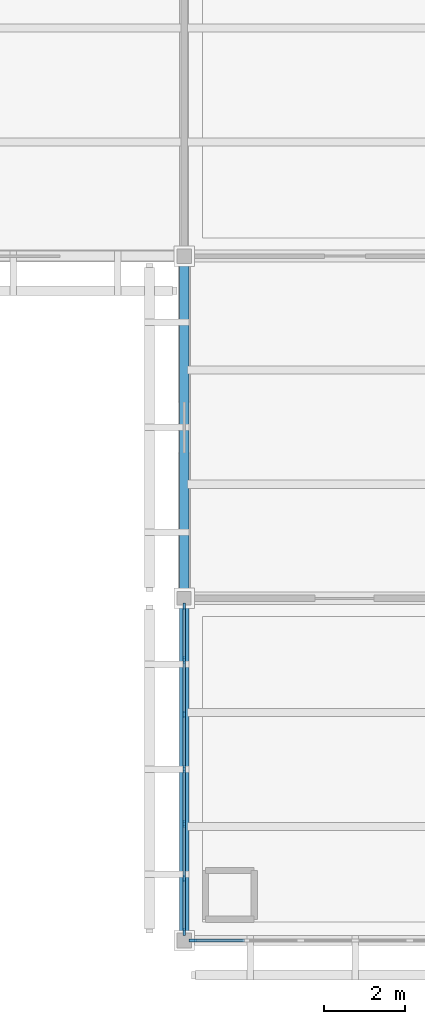
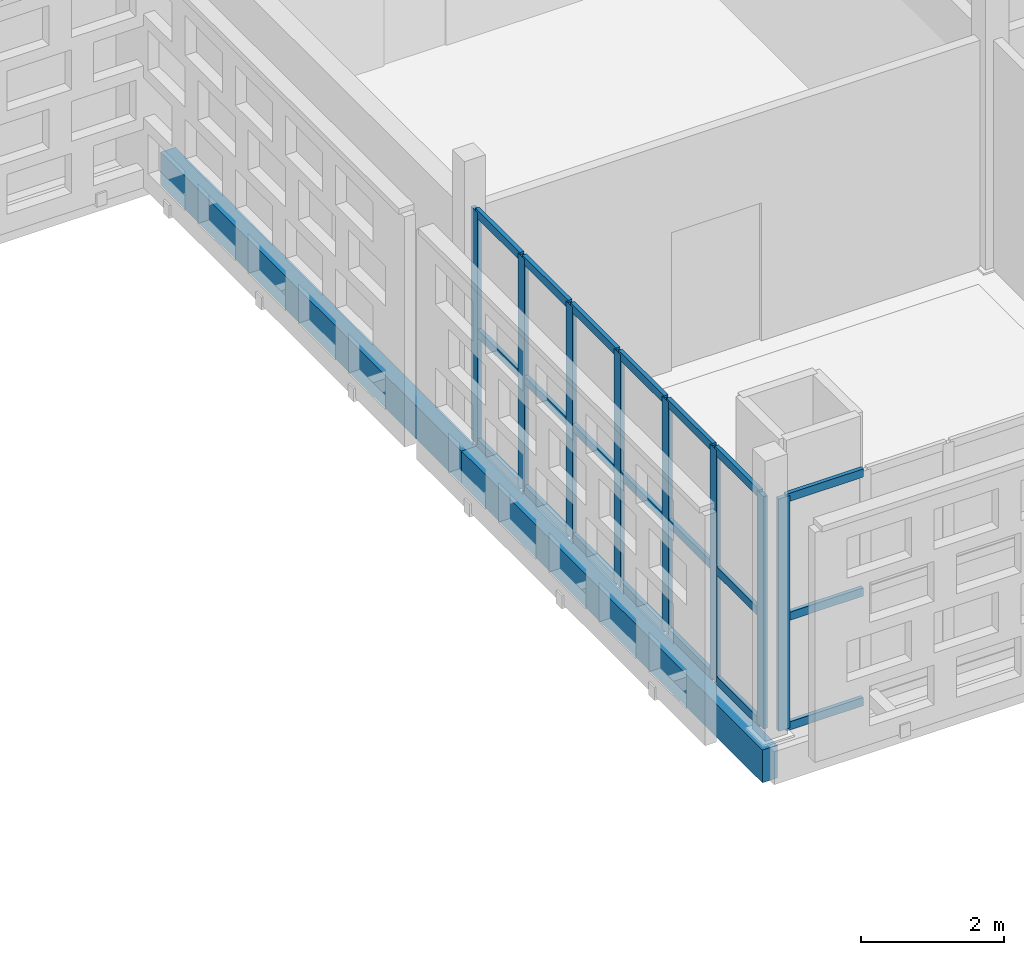
# One storey, part 32 of 203: 29 members, 2 beams, 2 elements without a shape of their own.
"""IFC4 building model written with IfcOpenShell, lengths in metres."""

import ifcopenshell
import ifcopenshell.guid

model = None  # the IFC model being written
_history = None  # IfcOwnerHistory: only IFC2X3 demands one
_inside = {}  # id of a spatial element -> (the spatial element, [elements in it])
_under = {}  # id of a project, library or spatial element -> (it, [spatial elements below it])
_declared = {}  # id of a project -> (the project, [libraries it declares])
_typed = {}  # id of a type object -> (the type object, [elements of that type])
_made_of = {}  # id of a material, layer set ... -> (it, [elements and type objects made of it])


def new_model(schema):
    """Start an empty IFC model of exactly this schema.

    Asked for "IFC4X3", IfcOpenShell would pick the latest addendum, in which some entities
    have other attributes; the version numbers below select the first issue.
    IFC2X3 requires an IfcOwnerHistory on every rooted entity: one is made here for all.
    """
    global model, _history
    if schema == "IFC4X3":
        model = ifcopenshell.file(schema_version=(4, 3, 0, 0))
    else:
        model = ifcopenshell.file(schema=schema)
    _inside.clear()
    _under.clear()
    _declared.clear()
    _typed.clear()
    _made_of.clear()
    _history = None
    if model.schema == "IFC2X3":
        org = make("IfcOrganization", Name="unknown")
        user = make(
            "IfcPersonAndOrganization",
            ThePerson=make("IfcPerson", FamilyName="unknown"),
            TheOrganization=org,
        )
        app = make(
            "IfcApplication",
            ApplicationDeveloper=org,
            Version="unknown",
            ApplicationFullName="unknown",
            ApplicationIdentifier="unknown",
        )
        _history = make(
            "IfcOwnerHistory",
            OwningUser=user,
            OwningApplication=app,
            ChangeAction="ADDED",
            CreationDate=0,
        )
    return model


def make(cls, **values):
    """One entity of the class cls with the attributes given. An attribute that is None is left unset."""
    return model.create_entity(
        cls, **{name: value for name, value in values.items() if value is not None}
    )


def rooted(cls, **values):
    """An entity with a GlobalId (a new one), such as an element, a storey or a relation."""
    return make(cls, GlobalId=ifcopenshell.guid.new(), OwnerHistory=_history, **values)


def si_unit(unit_type, name, prefix=None):
    """IfcSIUnit, for example si_unit("LENGTHUNIT", "METRE", prefix="MILLI")."""
    return make("IfcSIUnit", UnitType=unit_type, Prefix=prefix, Name=name)


def assignment(units):
    """IfcUnitAssignment: the units of a project."""
    return None if units is None else make("IfcUnitAssignment", Units=units)


def point(xyz):
    """IfcCartesianPoint."""
    return None if xyz is None else make("IfcCartesianPoint", Coordinates=xyz)


def direction(xyz):
    """IfcDirection."""
    return None if xyz is None else make("IfcDirection", DirectionRatios=xyz)


def frame(location, z_axis=None, x_axis=None):
    """IfcAxis2Placement3D, a coordinate frame: its origin and axes. An axis left out is left unset."""
    return make(
        "IfcAxis2Placement3D",
        Location=point(location),
        Axis=direction(z_axis),
        RefDirection=direction(x_axis),
    )


def frame_2d(location, x_axis=None):
    """IfcAxis2Placement2D, a coordinate frame in the plane: its origin and x axis."""
    return make(
        "IfcAxis2Placement2D", Location=point(location), RefDirection=direction(x_axis)
    )


def origin():
    """The frame at (0, 0, 0) with its axes left unset."""
    return frame((0.0, 0.0, 0.0))


def origin_2d():
    """The frame at (0, 0) in the plane with its x axis left unset."""
    return frame_2d((0.0, 0.0))


def place(relative_to, where):
    """IfcLocalPlacement: puts the frame where relative to a parent placement (None: the world)."""
    return make(
        "IfcLocalPlacement", PlacementRelTo=relative_to, RelativePlacement=where
    )


def context(
    kind, dimensions, precision=None, world=None, true_north=None, identifier=None
):
    """IfcGeometricRepresentationContext, for example the 3D "Model" context."""
    return make(
        "IfcGeometricRepresentationContext",
        ContextIdentifier=identifier,
        ContextType=kind,
        CoordinateSpaceDimension=dimensions,
        Precision=precision,
        WorldCoordinateSystem=world,
        TrueNorth=true_north,
    )


def subcontext(parent, identifier, kind, view, scale=None):
    """IfcGeometricRepresentationSubContext, for example "Body" below "Model"."""
    return make(
        "IfcGeometricRepresentationSubContext",
        ContextIdentifier=identifier,
        ContextType=kind,
        ParentContext=parent,
        TargetScale=scale,
        TargetView=view,
    )


def project(units=None, contexts=None):
    """IfcProject with its units and contexts."""
    return rooted(
        "IfcProject",
        Name="project",
        RepresentationContexts=contexts,
        UnitsInContext=assignment(units),
    )


def spatial(cls, under=None, at=None, **own):
    """A site, building, storey or space (cls), placed at a placement, below another one or the project."""
    s = rooted(cls, ObjectPlacement=at, **own)
    if under is not None:
        _under.setdefault(under.id(), (under, []))[1].append(s)
    return s


def profile(cls, at=None, kind="AREA", **sizes):
    """A parametric profile (cls). Its sizes go by their IFC names, for example OverallWidth=200.0."""
    return make(cls, ProfileType=kind, Position=at, **sizes)


def rectangle(**sizes):
    """IfcRectangleProfileDef."""
    return profile("IfcRectangleProfileDef", **sizes)


def extrude(swept, where, along, depth):
    """IfcExtrudedAreaSolid: the profile swept, set in the frame where, extruded along a direction by depth."""
    return make(
        "IfcExtrudedAreaSolid",
        SweptArea=swept,
        Position=where,
        ExtrudedDirection=direction(along),
        Depth=depth,
    )


def shape(context_of_items, identifier, shape_type, items):
    """IfcShapeRepresentation: the items that make up one representation, for example the "Body"."""
    return make(
        "IfcShapeRepresentation",
        ContextOfItems=context_of_items,
        RepresentationIdentifier=identifier,
        RepresentationType=shape_type,
        Items=items,
    )


def material(Name=None, Category=None):
    """IfcMaterial."""
    return make("IfcMaterial", Name=Name, Category=Category)


def layer(
    of_material, thickness, ventilated=None, Name=None, Category=None, Priority=None
):
    """IfcMaterialLayer: one layer of a wall or slab, of a material (None: an air gap)."""
    return make(
        "IfcMaterialLayer",
        Material=of_material,
        LayerThickness=thickness,
        IsVentilated=ventilated,
        Name=Name,
        Category=Category,
        Priority=Priority,
    )


def layer_set(layers, Name=None):
    """IfcMaterialLayerSet."""
    return make("IfcMaterialLayerSet", MaterialLayers=layers, LayerSetName=Name)


def material_profile(
    of_material, cross_section, Name=None, Category=None, Priority=None
):
    """IfcMaterialProfile: a cross section and its material."""
    return make(
        "IfcMaterialProfile",
        Name=Name,
        Material=of_material,
        Profile=cross_section,
        Priority=Priority,
        Category=Category,
    )


def profile_set(profiles, Name=None, composite=None):
    """IfcMaterialProfileSet."""
    return make(
        "IfcMaterialProfileSet",
        Name=Name,
        MaterialProfiles=profiles,
        CompositeProfile=composite,
    )


def made_of(thing, what):
    """Note that an element or type object is made of a material, layer set ...; save() writes the relation."""
    if what is not None:
        _made_of.setdefault(what.id(), (what, []))[1].append(thing)
    return thing


def type_object(cls, material=None, **own):
    """A type object (cls), such as IfcWallType, which elements share."""
    return made_of(rooted(cls, **own), material)


def element(
    cls,
    number,
    at=None,
    inside=None,
    cuts=None,
    type_object=None,
    material=None,
    context=None,
    identifier="Body",
    shape_type=None,
    held_by="IfcProductDefinitionShape",
    body=None,
    shapes=None,
    **own,
):
    """One element of the class cls, such as IfcWall. Its Tag is "e" and its number.

    at: its placement. inside: the storey or other place that contains it. cuts: it is an
    opening in that element (IfcRelVoidsElement). A single representation is given by context,
    identifier, shape_type and body (its items); several are given by shapes. held_by: the class
    of the entity that holds the representations. save() writes the other relations.
    """
    e = rooted(cls, Tag="e%d" % number, ObjectPlacement=at, **own)
    if body is not None:
        shapes = [shape(context, identifier, shape_type, body)]
    if shapes is not None:
        e.Representation = make(held_by, Representations=shapes)
    if inside is not None:
        _inside.setdefault(inside.id(), (inside, []))[1].append(e)
    if cuts is not None:
        rooted(
            "IfcRelVoidsElement", RelatingBuildingElement=cuts, RelatedOpeningElement=e
        )
    if type_object is not None:
        _typed.setdefault(type_object.id(), (type_object, []))[1].append(e)
    return made_of(e, material)


def aggregate(whole, parts):
    """IfcRelAggregates: a whole, such as a stair, and the parts it consists of."""
    return rooted("IfcRelAggregates", RelatingObject=whole, RelatedObjects=parts)


def save(model, path):
    """Write the relations noted so far, then the file.

    IfcRelAggregates (storeys below a building ...), IfcRelContainedInSpatialStructure (elements
    in a storey), IfcRelDefinesByType, IfcRelAssociatesMaterial and IfcRelDeclares: one each for
    every whole, place, type object, material and project.
    """
    for whole, parts in _under.values():
        aggregate(whole, parts)
    for where, things in _inside.values():
        rooted(
            "IfcRelContainedInSpatialStructure",
            RelatedElements=things,
            RelatingStructure=where,
        )
    for kind, things in _typed.values():
        rooted("IfcRelDefinesByType", RelatedObjects=things, RelatingType=kind)
    for what, things in _made_of.values():
        rooted("IfcRelAssociatesMaterial", RelatedObjects=things, RelatingMaterial=what)
    for by, libraries in _declared.values():
        rooted("IfcRelDeclares", RelatingContext=by, RelatedDefinitions=libraries)
    model.write(path)


model = new_model("IFC4")

# Units and contexts
model_context = context("Model", 3, precision=1e-05, world=origin(), true_north=direction((0.0, 1.0)))
body_context = subcontext(model_context, "Body", "Model", "MODEL_VIEW")
ifc_project = project(units=[si_unit("LENGTHUNIT", "METRE"), si_unit("AREAUNIT", "SQUARE_METRE"), si_unit("VOLUMEUNIT", "CUBIC_METRE"), si_unit("PLANEANGLEUNIT", "RADIAN"), si_unit("MASSUNIT", "GRAM", prefix="KILO")], contexts=[model_context])

# Site, building, storey
site_placement = place(None, origin())
site = spatial("IfcSite", under=ifc_project, at=site_placement, CompositionType="ELEMENT")
building_placement = place(site_placement, origin())
building = spatial("IfcBuilding", under=site, at=building_placement, Name="Varnapada Polytechnic", CompositionType="ELEMENT")
storey_placement = place(building_placement, frame((0.0, 0.0, 4.800048828125)))
storey = spatial("IfcBuildingStorey", under=building, at=storey_placement, Name="L01", CompositionType="ELEMENT", Elevation=4.800048828125)

# Curtain wall, member
ifc_material_1 = material(Name="Double low-E laminated glass", Category="glass")
ifc_layer = layer(ifc_material_1, 0.179931640625)
ifc_layer_set = layer_set([ifc_layer], Name="Double low-E laminated glass")
curtain_wall_type = type_object("IfcCurtainWallType", Name="Curtain Wall CW-04", PredefinedType="NOTDEFINED", material=ifc_layer_set)
curtain_wall_1_placement = place(storey_placement, origin())
curtain_wall_1 = element("IfcCurtainWall", 1, at=curtain_wall_1_placement, inside=storey, type_object=curtain_wall_type, Name="L01 unitised curtain wall CW-04 (92)", PredefinedType="NOTDEFINED")
ifc_material_2 = material(Name="Anodised aluminium", Category="aluminium")
ifc_material_profile_1 = material_profile(ifc_material_2, rectangle(XDim=0.06494140625, YDim=0.179931640625, at=origin_2d()), Name="ALU M65x180")
ifc_profile_set_1 = profile_set([ifc_material_profile_1], Name="Anodised aluminium")
member_type_1 = type_object("IfcMemberType", Name="Mullion M-02", PredefinedType="MULLION", material=ifc_profile_set_1)
member_1_placement = place(storey_placement, frame((126.21240234375, 0.0, 0.0), z_axis=(0.0, 0.0, 1.0), x_axis=(0.0, -1.0, 0.0)))
member_1 = element("IfcMember", 2, at=member_1_placement, type_object=member_type_1, Name="CW-04 mullion 7", PredefinedType="MULLION", context=body_context, shape_type="SweptSolid", body=[
    extrude(rectangle(XDim=0.06494140625, YDim=0.179931640625, at=origin_2d()), origin(), (0.0, 0.0, 1.0), 3.9599609375),
])

# Curtain wall, members
curtain_wall_2_placement = place(storey_placement, origin())
curtain_wall_2 = element("IfcCurtainWall", 3, at=curtain_wall_2_placement, inside=storey, type_object=curtain_wall_type, Name="L01 unitised curtain wall CW-04 (93)", PredefinedType="NOTDEFINED")
member_2_placement = place(storey_placement, frame((126.0, 0.21240234375, 0.0), z_axis=(0.0, 0.0, 1.0), x_axis=(-1.0, 0.0, 0.0)))
member_2 = element("IfcMember", 4, at=member_2_placement, type_object=member_type_1, Name="CW-04 mullion 1", PredefinedType="MULLION", context=body_context, shape_type="SweptSolid", body=[
    extrude(rectangle(XDim=0.06494140625, YDim=0.179931640625, at=origin_2d()), origin(), (0.0, 0.0, 1.0), 3.9599609375),
])
member_3_placement = place(storey_placement, frame((126.0, 1.521728515625, 0.0), z_axis=(0.0, 0.0, 1.0), x_axis=(-1.0, 0.0, 0.0)))
member_3 = element("IfcMember", 5, at=member_3_placement, type_object=member_type_1, Name="CW-04 mullion 2", PredefinedType="MULLION", context=body_context, shape_type="SweptSolid", body=[
    extrude(rectangle(XDim=0.06494140625, YDim=0.179931640625, at=origin_2d()), origin(), (0.0, 0.0, 1.0), 3.9599609375),
])
member_4_placement = place(storey_placement, frame((126.0, 2.86328125, 0.0), z_axis=(0.0, 0.0, 1.0), x_axis=(-1.0, 0.0, 0.0)))
member_4 = element("IfcMember", 6, at=member_4_placement, type_object=member_type_1, Name="CW-04 mullion 3", PredefinedType="MULLION", context=body_context, shape_type="SweptSolid", body=[
    extrude(rectangle(XDim=0.06494140625, YDim=0.179931640625, at=origin_2d()), origin(), (0.0, 0.0, 1.0), 3.9599609375),
])
member_5_placement = place(storey_placement, frame((126.0, 4.205078125, 0.0), z_axis=(0.0, 0.0, 1.0), x_axis=(-1.0, 0.0, 0.0)))
member_5 = element("IfcMember", 7, at=member_5_placement, type_object=member_type_1, Name="CW-04 mullion 4", PredefinedType="MULLION", context=body_context, shape_type="SweptSolid", body=[
    extrude(rectangle(XDim=0.06494140625, YDim=0.179931640625, at=origin_2d()), origin(), (0.0, 0.0, 1.0), 3.9599609375),
])
member_6_placement = place(storey_placement, frame((126.0, 5.546630859375, 0.0), z_axis=(0.0, 0.0, 1.0), x_axis=(-1.0, 0.0, 0.0)))
member_6 = element("IfcMember", 8, at=member_6_placement, type_object=member_type_1, Name="CW-04 mullion 5", PredefinedType="MULLION", context=body_context, shape_type="SweptSolid", body=[
    extrude(rectangle(XDim=0.06494140625, YDim=0.179931640625, at=origin_2d()), origin(), (0.0, 0.0, 1.0), 3.9599609375),
])
member_7_placement = place(storey_placement, frame((126.0, 6.888427734375, 0.0), z_axis=(0.0, 0.0, 1.0), x_axis=(-1.0, 0.0, 0.0)))
member_7 = element("IfcMember", 9, at=member_7_placement, type_object=member_type_1, Name="CW-04 mullion 6", PredefinedType="MULLION", context=body_context, shape_type="SweptSolid", body=[
    extrude(rectangle(XDim=0.06494140625, YDim=0.179931640625, at=origin_2d()), origin(), (0.0, 0.0, 1.0), 3.9599609375),
])
member_8_placement = place(storey_placement, frame((126.0, 8.197509765625, 0.0), z_axis=(0.0, 0.0, 1.0), x_axis=(-1.0, 0.0, 0.0)))
member_8 = element("IfcMember", 10, at=member_8_placement, type_object=member_type_1, Name="CW-04 mullion 7", PredefinedType="MULLION", context=body_context, shape_type="SweptSolid", body=[
    extrude(rectangle(XDim=0.06494140625, YDim=0.179931640625, at=origin_2d()), origin(), (0.0, 0.0, 1.0), 3.9599609375),
])

# Beams
ifc_material_3 = material(Name="Glulam GL32h", Category="wood")
ifc_material_profile_2 = material_profile(ifc_material_3, rectangle(XDim=0.239990234375, YDim=0.56005859375, at=origin_2d()), Name="GL 240x560")
ifc_profile_set_2 = profile_set([ifc_material_profile_2], Name="Glulam GL32h")
beam_type = type_object("IfcBeamType", Name="Perimeter glulam spandrel beam SP-02 (GL 240x560)", PredefinedType="SPANDREL", material=ifc_profile_set_2)
beam_1_placement = place(storey_placement, frame((126.0, 0.0, -0.530029296875), z_axis=(0.0, 1.0, 0.0), x_axis=(-1.0, 0.0, 0.0)))
element("IfcBeam", 11, at=beam_1_placement, inside=storey, type_object=beam_type, Name="L01 beam Y 1-2 at X16", PredefinedType="SPANDREL", context=body_context, shape_type="SweptSolid", body=[
    extrude(rectangle(XDim=0.239990234375, YDim=0.56005859375, at=origin_2d()), origin(), (0.0, 0.0, 1.0), 8.39990234375),
])
beam_2_placement = place(storey_placement, frame((126.0, 8.39990234375, -0.530029296875), z_axis=(0.0, 1.0, 0.0), x_axis=(-1.0, 0.0, 0.0)))
element("IfcBeam", 12, at=beam_2_placement, inside=storey, type_object=beam_type, Name="L01 beam Y 2-3 at X16", PredefinedType="SPANDREL", context=body_context, shape_type="SweptSolid", body=[
    extrude(rectangle(XDim=0.239990234375, YDim=0.56005859375, at=origin_2d()), origin(), (0.0, 0.0, 1.0), 8.400146484375),
])

# Member
ifc_material_profile_3 = material_profile(ifc_material_2, rectangle(XDim=0.06494140625, YDim=0.139892578125, at=origin_2d()), Name="ALU T65x140")
ifc_profile_set_3 = profile_set([ifc_material_profile_3], Name="Anodised aluminium")
member_type_2 = type_object("IfcMemberType", Name="Transom T-02", PredefinedType="USERDEFINED", material=ifc_profile_set_3)
member_9_placement = place(storey_placement, frame((127.487548828125, 0.0, 0.032470703125), z_axis=(-1.0, 0.0, 0.0), x_axis=(0.0, -1.0, 0.0)))
member_9 = element("IfcMember", 13, at=member_9_placement, type_object=member_type_2, Name="CW-04 transom 6.1", ObjectType="TRANSOM", PredefinedType="USERDEFINED", context=body_context, shape_type="SweptSolid", body=[
    extrude(rectangle(XDim=0.06494140625, YDim=0.139892578125, at=origin_2d()), origin(), (0.0, 0.0, 1.0), 1.242431640625),
])

member_10_placement = place(storey_placement, frame((127.487548828125, 0.0, 1.900634765625), z_axis=(-1.0, 0.0, 0.0), x_axis=(0.0, -1.0, 0.0)))
member_10 = element("IfcMember", 14, at=member_10_placement, type_object=member_type_2, Name="CW-04 transom 6.2", ObjectType="TRANSOM", PredefinedType="USERDEFINED", context=body_context, shape_type="SweptSolid", body=[
    extrude(rectangle(XDim=0.06494140625, YDim=0.139892578125, at=origin_2d()), origin(), (0.0, 0.0, 1.0), 1.242431640625),
])

member_11_placement = place(storey_placement, frame((127.487548828125, 0.0, 3.927490234375), z_axis=(-1.0, 0.0, 0.0), x_axis=(0.0, -1.0, 0.0)))
member_11 = element("IfcMember", 15, at=member_11_placement, type_object=member_type_2, Name="CW-04 transom 6.3", ObjectType="TRANSOM", PredefinedType="USERDEFINED", context=body_context, shape_type="SweptSolid", body=[
    extrude(rectangle(XDim=0.06494140625, YDim=0.139892578125, at=origin_2d()), origin(), (0.0, 0.0, 1.0), 1.242431640625),
])

aggregate(curtain_wall_1, [member_1, member_9, member_10, member_11])

member_12_placement = place(storey_placement, frame((126.0, 0.2451171875, 0.032470703125), z_axis=(0.0, 1.0, 0.0), x_axis=(-1.0, 0.0, 0.0)))
member_12 = element("IfcMember", 16, at=member_12_placement, type_object=member_type_2, Name="CW-04 transom 1.1", ObjectType="TRANSOM", PredefinedType="USERDEFINED", context=body_context, shape_type="SweptSolid", body=[
    extrude(rectangle(XDim=0.06494140625, YDim=0.139892578125, at=origin_2d()), origin(), (0.0, 0.0, 1.0), 1.244140625),
])

member_13_placement = place(storey_placement, frame((126.0, 0.2451171875, 1.900634765625), z_axis=(0.0, 1.0, 0.0), x_axis=(-1.0, 0.0, 0.0)))
member_13 = element("IfcMember", 17, at=member_13_placement, type_object=member_type_2, Name="CW-04 transom 1.2", ObjectType="TRANSOM", PredefinedType="USERDEFINED", context=body_context, shape_type="SweptSolid", body=[
    extrude(rectangle(XDim=0.06494140625, YDim=0.139892578125, at=origin_2d()), origin(), (0.0, 0.0, 1.0), 1.244140625),
])

member_14_placement = place(storey_placement, frame((126.0, 0.2451171875, 3.927490234375), z_axis=(0.0, 1.0, 0.0), x_axis=(-1.0, 0.0, 0.0)))
member_14 = element("IfcMember", 18, at=member_14_placement, type_object=member_type_2, Name="CW-04 transom 1.3", ObjectType="TRANSOM", PredefinedType="USERDEFINED", context=body_context, shape_type="SweptSolid", body=[
    extrude(rectangle(XDim=0.06494140625, YDim=0.139892578125, at=origin_2d()), origin(), (0.0, 0.0, 1.0), 1.244140625),
])

member_15_placement = place(storey_placement, frame((126.0, 1.55419921875, 0.032470703125), z_axis=(0.0, 1.0, 0.0), x_axis=(-1.0, 0.0, 0.0)))
member_15 = element("IfcMember", 19, at=member_15_placement, type_object=member_type_2, Name="CW-04 transom 2.1", ObjectType="TRANSOM", PredefinedType="USERDEFINED", context=body_context, shape_type="SweptSolid", body=[
    extrude(rectangle(XDim=0.06494140625, YDim=0.139892578125, at=origin_2d()), origin(), (0.0, 0.0, 1.0), 1.276611328125),
])

member_16_placement = place(storey_placement, frame((126.0, 1.55419921875, 1.900634765625), z_axis=(0.0, 1.0, 0.0), x_axis=(-1.0, 0.0, 0.0)))
member_16 = element("IfcMember", 20, at=member_16_placement, type_object=member_type_2, Name="CW-04 transom 2.2", ObjectType="TRANSOM", PredefinedType="USERDEFINED", context=body_context, shape_type="SweptSolid", body=[
    extrude(rectangle(XDim=0.06494140625, YDim=0.139892578125, at=origin_2d()), origin(), (0.0, 0.0, 1.0), 1.276611328125),
])

member_17_placement = place(storey_placement, frame((126.0, 1.55419921875, 3.927490234375), z_axis=(0.0, 1.0, 0.0), x_axis=(-1.0, 0.0, 0.0)))
member_17 = element("IfcMember", 21, at=member_17_placement, type_object=member_type_2, Name="CW-04 transom 2.3", ObjectType="TRANSOM", PredefinedType="USERDEFINED", context=body_context, shape_type="SweptSolid", body=[
    extrude(rectangle(XDim=0.06494140625, YDim=0.139892578125, at=origin_2d()), origin(), (0.0, 0.0, 1.0), 1.276611328125),
])

member_18_placement = place(storey_placement, frame((126.0, 2.895751953125, 0.032470703125), z_axis=(0.0, 1.0, 0.0), x_axis=(-1.0, 0.0, 0.0)))
member_18 = element("IfcMember", 22, at=member_18_placement, type_object=member_type_2, Name="CW-04 transom 3.1", ObjectType="TRANSOM", PredefinedType="USERDEFINED", context=body_context, shape_type="SweptSolid", body=[
    extrude(rectangle(XDim=0.06494140625, YDim=0.139892578125, at=origin_2d()), origin(), (0.0, 0.0, 1.0), 1.27685546875),
])

member_19_placement = place(storey_placement, frame((126.0, 2.895751953125, 1.900634765625), z_axis=(0.0, 1.0, 0.0), x_axis=(-1.0, 0.0, 0.0)))
member_19 = element("IfcMember", 23, at=member_19_placement, type_object=member_type_2, Name="CW-04 transom 3.2", ObjectType="TRANSOM", PredefinedType="USERDEFINED", context=body_context, shape_type="SweptSolid", body=[
    extrude(rectangle(XDim=0.06494140625, YDim=0.139892578125, at=origin_2d()), origin(), (0.0, 0.0, 1.0), 1.27685546875),
])

member_20_placement = place(storey_placement, frame((126.0, 2.895751953125, 3.927490234375), z_axis=(0.0, 1.0, 0.0), x_axis=(-1.0, 0.0, 0.0)))
member_20 = element("IfcMember", 24, at=member_20_placement, type_object=member_type_2, Name="CW-04 transom 3.3", ObjectType="TRANSOM", PredefinedType="USERDEFINED", context=body_context, shape_type="SweptSolid", body=[
    extrude(rectangle(XDim=0.06494140625, YDim=0.139892578125, at=origin_2d()), origin(), (0.0, 0.0, 1.0), 1.27685546875),
])

member_21_placement = place(storey_placement, frame((126.0, 4.237548828125, 0.032470703125), z_axis=(0.0, 1.0, 0.0), x_axis=(-1.0, 0.0, 0.0)))
member_21 = element("IfcMember", 25, at=member_21_placement, type_object=member_type_2, Name="CW-04 transom 4.1", ObjectType="TRANSOM", PredefinedType="USERDEFINED", context=body_context, shape_type="SweptSolid", body=[
    extrude(rectangle(XDim=0.06494140625, YDim=0.139892578125, at=origin_2d()), origin(), (0.0, 0.0, 1.0), 1.276611328125),
])

member_22_placement = place(storey_placement, frame((126.0, 4.237548828125, 1.900634765625), z_axis=(0.0, 1.0, 0.0), x_axis=(-1.0, 0.0, 0.0)))
member_22 = element("IfcMember", 26, at=member_22_placement, type_object=member_type_2, Name="CW-04 transom 4.2", ObjectType="TRANSOM", PredefinedType="USERDEFINED", context=body_context, shape_type="SweptSolid", body=[
    extrude(rectangle(XDim=0.06494140625, YDim=0.139892578125, at=origin_2d()), origin(), (0.0, 0.0, 1.0), 1.276611328125),
])

member_23_placement = place(storey_placement, frame((126.0, 4.237548828125, 3.927490234375), z_axis=(0.0, 1.0, 0.0), x_axis=(-1.0, 0.0, 0.0)))
member_23 = element("IfcMember", 27, at=member_23_placement, type_object=member_type_2, Name="CW-04 transom 4.3", ObjectType="TRANSOM", PredefinedType="USERDEFINED", context=body_context, shape_type="SweptSolid", body=[
    extrude(rectangle(XDim=0.06494140625, YDim=0.139892578125, at=origin_2d()), origin(), (0.0, 0.0, 1.0), 1.276611328125),
])

member_24_placement = place(storey_placement, frame((126.0, 5.5791015625, 0.032470703125), z_axis=(0.0, 1.0, 0.0), x_axis=(-1.0, 0.0, 0.0)))
member_24 = element("IfcMember", 28, at=member_24_placement, type_object=member_type_2, Name="CW-04 transom 5.1", ObjectType="TRANSOM", PredefinedType="USERDEFINED", context=body_context, shape_type="SweptSolid", body=[
    extrude(rectangle(XDim=0.06494140625, YDim=0.139892578125, at=origin_2d()), origin(), (0.0, 0.0, 1.0), 1.276611328125),
])

member_25_placement = place(storey_placement, frame((126.0, 5.5791015625, 1.900634765625), z_axis=(0.0, 1.0, 0.0), x_axis=(-1.0, 0.0, 0.0)))
member_25 = element("IfcMember", 29, at=member_25_placement, type_object=member_type_2, Name="CW-04 transom 5.2", ObjectType="TRANSOM", PredefinedType="USERDEFINED", context=body_context, shape_type="SweptSolid", body=[
    extrude(rectangle(XDim=0.06494140625, YDim=0.139892578125, at=origin_2d()), origin(), (0.0, 0.0, 1.0), 1.276611328125),
])

member_26_placement = place(storey_placement, frame((126.0, 5.5791015625, 3.927490234375), z_axis=(0.0, 1.0, 0.0), x_axis=(-1.0, 0.0, 0.0)))
member_26 = element("IfcMember", 30, at=member_26_placement, type_object=member_type_2, Name="CW-04 transom 5.3", ObjectType="TRANSOM", PredefinedType="USERDEFINED", context=body_context, shape_type="SweptSolid", body=[
    extrude(rectangle(XDim=0.06494140625, YDim=0.139892578125, at=origin_2d()), origin(), (0.0, 0.0, 1.0), 1.276611328125),
])

member_27_placement = place(storey_placement, frame((126.0, 6.9208984375, 0.032470703125), z_axis=(0.0, 1.0, 0.0), x_axis=(-1.0, 0.0, 0.0)))
member_27 = element("IfcMember", 31, at=member_27_placement, type_object=member_type_2, Name="CW-04 transom 6.1", ObjectType="TRANSOM", PredefinedType="USERDEFINED", context=body_context, shape_type="SweptSolid", body=[
    extrude(rectangle(XDim=0.06494140625, YDim=0.139892578125, at=origin_2d()), origin(), (0.0, 0.0, 1.0), 1.244140625),
])

member_28_placement = place(storey_placement, frame((126.0, 6.9208984375, 1.900634765625), z_axis=(0.0, 1.0, 0.0), x_axis=(-1.0, 0.0, 0.0)))
member_28 = element("IfcMember", 32, at=member_28_placement, type_object=member_type_2, Name="CW-04 transom 6.2", ObjectType="TRANSOM", PredefinedType="USERDEFINED", context=body_context, shape_type="SweptSolid", body=[
    extrude(rectangle(XDim=0.06494140625, YDim=0.139892578125, at=origin_2d()), origin(), (0.0, 0.0, 1.0), 1.244140625),
])

member_29_placement = place(storey_placement, frame((126.0, 6.9208984375, 3.927490234375), z_axis=(0.0, 1.0, 0.0), x_axis=(-1.0, 0.0, 0.0)))
member_29 = element("IfcMember", 33, at=member_29_placement, type_object=member_type_2, Name="CW-04 transom 6.3", ObjectType="TRANSOM", PredefinedType="USERDEFINED", context=body_context, shape_type="SweptSolid", body=[
    extrude(rectangle(XDim=0.06494140625, YDim=0.139892578125, at=origin_2d()), origin(), (0.0, 0.0, 1.0), 1.244140625),
])

aggregate(curtain_wall_2, [member_2, member_3, member_4, member_5, member_6, member_7, member_8, member_12, member_13, member_14, member_15, member_16, member_17, member_18, member_19, member_20, member_21, member_22, member_23, member_24, member_25, member_26, member_27, member_28, member_29])

save(model, "model.ifc")
